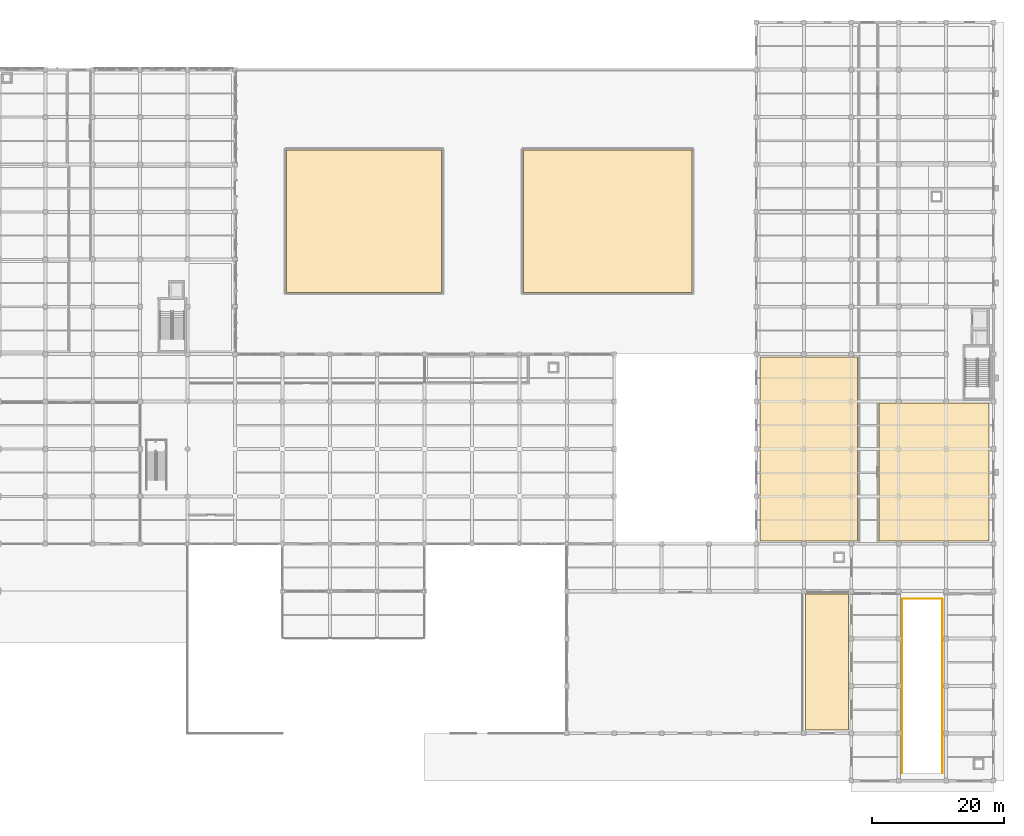
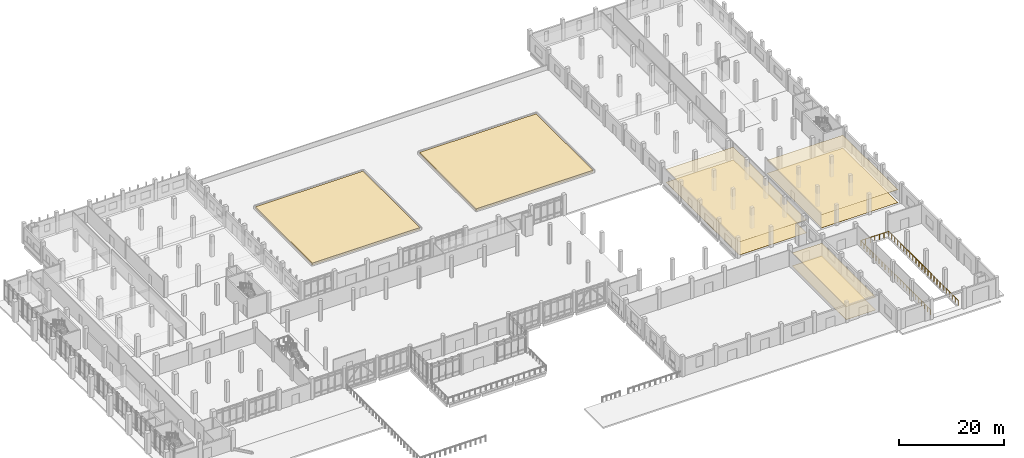
# One storey, part 54 of 59: 8 coverings, 1 railing.
"""IFC4 building model written with IfcOpenShell, lengths in metres."""

from ifc_helpers import new_model, si_unit, direction, frame, origin, origin_2d, place, context, subcontext, project, spatial, polyline, circle, outline, extrude, material, layer, layer_set, type_object, element, save


model = new_model("IFC4")

# Units and contexts
model_context = context("Model", 3, precision=1e-05, world=origin(), true_north=direction((0.0, 1.0)))
body_context = subcontext(model_context, "Body", "Model", "MODEL_VIEW")
ifc_project = project(units=[si_unit("LENGTHUNIT", "METRE"), si_unit("AREAUNIT", "SQUARE_METRE"), si_unit("VOLUMEUNIT", "CUBIC_METRE"), si_unit("PLANEANGLEUNIT", "RADIAN"), si_unit("MASSUNIT", "GRAM", prefix="KILO")], contexts=[model_context])

# Site, building, storey
site_placement = place(None, origin())
site = spatial("IfcSite", under=ifc_project, at=site_placement, CompositionType="ELEMENT")
building_placement = place(site_placement, origin())
building = spatial("IfcBuilding", under=site, at=building_placement, Name="Valkovuoma Quantum and Materials Research Institute", CompositionType="ELEMENT")
storey_placement = place(building_placement, origin())
storey = spatial("IfcBuildingStorey", under=building, at=storey_placement, Name="L00", CompositionType="ELEMENT", Elevation=0.0)

# Coverings
ifc_material_1 = material(Name="Cleanable acoustic mineral-fibre suspended ceiling", Category="masonry")
ifc_layer_1 = layer(ifc_material_1, 0.02490234375)
ifc_layer_set_1 = layer_set([ifc_layer_1], Name="Cleanable acoustic mineral-fibre suspended ceiling")
covering_type_1 = type_object("IfcCoveringType", Name="Cov-CEIL-01", PredefinedType="CEILING", material=ifc_layer_set_1)
covering_1_placement = place(storey_placement, frame((0.0, 0.0, 3.0)))
element("IfcCovering", 1, at=covering_1_placement, inside=storey, type_object=covering_type_1, Name="L00 acoustic ceiling 0012", PredefinedType="CEILING", context=body_context, shape_type="SweptSolid", body=[
    extrude(outline(polyline([(137.050048828125, 7.75), (143.550048828125, 7.75), (143.550048828125, 28.35009765625), (137.050048828125, 28.35009765625), (137.050048828125, 7.75)])), origin(), (0.0, 0.0, 1.0), 0.02490234375),
])
covering_2_placement = place(storey_placement, frame((0.0, 0.0, 3.0)))
element("IfcCovering", 2, at=covering_2_placement, inside=storey, type_object=covering_type_1, Name="L00 acoustic ceiling 0019", PredefinedType="CEILING", context=body_context, shape_type="SweptSolid", body=[
    extrude(outline(polyline([(130.14990234375, 36.449951171875), (144.949951171875, 36.449951171875), (144.949951171875, 64.35009765625), (130.14990234375, 64.35009765625), (130.14990234375, 36.449951171875)])), origin(), (0.0, 0.0, 1.0), 0.02490234375),
])
covering_3_placement = place(storey_placement, frame((0.0, 0.0, 3.0)))
element("IfcCovering", 3, at=covering_3_placement, inside=storey, type_object=covering_type_1, Name="L00 acoustic ceiling 0022", PredefinedType="CEILING", context=body_context, shape_type="SweptSolid", body=[
    extrude(outline(polyline([(148.25, 36.449951171875), (164.949951171875, 36.449951171875), (164.949951171875, 57.35009765625), (148.25, 57.35009765625), (148.25, 36.449951171875)])), origin(), (0.0, 0.0, 1.0), 0.02490234375),
])
ifc_material_2 = material(Name="Seamless dissipative laboratory resin flooring", Category="masonry")
ifc_layer_2 = layer(ifc_material_2, 0.014892578125)
ifc_layer_set_2 = layer_set([ifc_layer_2], Name="Seamless dissipative laboratory resin flooring")
covering_type_2 = type_object("IfcCoveringType", Name="Cov-FLOR-01", PredefinedType="FLOORING", material=ifc_layer_set_2)
covering_4_placement = place(storey_placement, origin())
element("IfcCovering", 4, at=covering_4_placement, inside=storey, type_object=covering_type_2, Name="L00 resin flooring 0012", PredefinedType="FLOORING", context=body_context, shape_type="SweptSolid", body=[
    extrude(outline(polyline([(137.050048828125, 7.75), (143.550048828125, 7.75), (143.550048828125, 28.35009765625), (137.050048828125, 28.35009765625), (137.050048828125, 7.75)])), origin(), (0.0, 0.0, 1.0), 0.014892578125),
])
covering_5_placement = place(storey_placement, origin())
element("IfcCovering", 5, at=covering_5_placement, inside=storey, type_object=covering_type_2, Name="L00 resin flooring 0019", PredefinedType="FLOORING", context=body_context, shape_type="SweptSolid", body=[
    extrude(outline(polyline([(130.14990234375, 36.449951171875), (144.949951171875, 36.449951171875), (144.949951171875, 64.35009765625), (130.14990234375, 64.35009765625), (130.14990234375, 36.449951171875)])), origin(), (0.0, 0.0, 1.0), 0.014892578125),
])
covering_6_placement = place(storey_placement, origin())
element("IfcCovering", 6, at=covering_6_placement, inside=storey, type_object=covering_type_2, Name="L00 resin flooring 0022", PredefinedType="FLOORING", context=body_context, shape_type="SweptSolid", body=[
    extrude(outline(polyline([(148.25, 36.449951171875), (164.949951171875, 36.449951171875), (164.949951171875, 57.35009765625), (148.25, 57.35009765625), (148.25, 36.449951171875)])), origin(), (0.0, 0.0, 1.0), 0.014892578125),
])
ifc_material_3 = material(Name="Extensive Nordic sedum and birch planted roof-garden build-up", Category="masonry")
ifc_layer_3 = layer(ifc_material_3, 0.25)
ifc_layer_set_3 = layer_set([ifc_layer_3], Name="Extensive Nordic sedum and birch planted roof-garden build-up")
covering_type_3 = type_object("IfcCoveringType", Name="Cov-ROOF-GDN", PredefinedType="ROOFING", material=ifc_layer_set_3)
covering_7_placement = place(storey_placement, origin())
element("IfcCovering", 7, at=covering_7_placement, inside=storey, type_object=covering_type_3, Name="L00 roof covering GDN-COURT-W", PredefinedType="ROOFING", context=body_context, shape_type="SweptSolid", body=[
    extrude(outline(polyline([(58.199951171875, 74.199951171875), (81.800048828125, 74.199951171875), (81.800048828125, 95.800048828125), (58.199951171875, 95.800048828125), (58.199951171875, 74.199951171875)])), origin(), (0.0, 0.0, 1.0), 0.449951171875),
])
covering_8_placement = place(storey_placement, origin())
element("IfcCovering", 8, at=covering_8_placement, inside=storey, type_object=covering_type_3, Name="L00 roof covering GDN-COURT-E", PredefinedType="ROOFING", context=body_context, shape_type="SweptSolid", body=[
    extrude(outline(polyline([(94.199951171875, 74.199951171875), (119.800048828125, 74.199951171875), (119.800048828125, 95.800048828125), (94.199951171875, 95.800048828125), (94.199951171875, 74.199951171875)])), origin(), (0.0, 0.0, 1.0), 0.449951171875),
])

# Railing
ifc_material_4 = material(Name="Hot-dip galvanised and powder-coated steel guardrail", Category="steel")
railing_type = type_object("IfcRailingType", Name="Rail-GRD-EXT", PredefinedType="BALUSTRADE", material=ifc_material_4)
railing_placement = place(storey_placement, frame((151.75, 1.199951171875, 0.0)))
element("IfcRailing", 9, at=railing_placement, inside=storey, type_object=railing_type, Name="L00 perimeter balustrade 09", PredefinedType="BALUSTRADE", context=body_context, shape_type="SweptSolid", body=[
    extrude(circle(Radius=0.02392578125, at=origin_2d()), frame((0.0, 0.0, 1.17578125), z_axis=(0.0, 1.0, 0.0), x_axis=(-1.0, 0.0, 0.0)), (0.0, 0.0, 1.0), 26.449951171875),
    extrude(circle(Radius=0.02392578125, at=origin_2d()), frame((0.0, 26.449951171875, 1.17578125), z_axis=(1.0, 0.0, 0.0), x_axis=(0.0, 1.0, 0.0)), (0.0, 0.0, 1.0), 6.10009765625),
    extrude(circle(Radius=0.02392578125, at=origin_2d()), frame((6.10009765625, 26.449951171875, 1.17578125), z_axis=(0.0, -1.0, 0.0), x_axis=(1.0, 0.0, 0.0)), (0.0, 0.0, 1.0), 26.449951171875),
    extrude(circle(Radius=0.02099609375, at=origin_2d()), origin(), (0.0, 0.0, 1.0), 1.15185546875),
    extrude(circle(Radius=0.02099609375, at=origin_2d()), frame((0.0, 1.14990234375, 0.0)), (0.0, 0.0, 1.0), 1.15185546875),
    extrude(circle(Radius=0.02099609375, at=origin_2d()), frame((0.0, 2.300048828125, 0.0)), (0.0, 0.0, 1.0), 1.15185546875),
    extrude(circle(Radius=0.02099609375, at=origin_2d()), frame((0.0, 3.449951171875, 0.0)), (0.0, 0.0, 1.0), 1.15185546875),
    extrude(circle(Radius=0.02099609375, at=origin_2d()), frame((0.0, 4.60009765625, 0.0)), (0.0, 0.0, 1.0), 1.15185546875),
    extrude(circle(Radius=0.02099609375, at=origin_2d()), frame((0.0, 5.75, 0.0)), (0.0, 0.0, 1.0), 1.15185546875),
    extrude(circle(Radius=0.02099609375, at=origin_2d()), frame((0.0, 6.89990234375, 0.0)), (0.0, 0.0, 1.0), 1.15185546875),
    extrude(circle(Radius=0.02099609375, at=origin_2d()), frame((0.0, 8.050048828125, 0.0)), (0.0, 0.0, 1.0), 1.15185546875),
    extrude(circle(Radius=0.02099609375, at=origin_2d()), frame((0.0, 9.199951171875, 0.0)), (0.0, 0.0, 1.0), 1.15185546875),
    extrude(circle(Radius=0.02099609375, at=origin_2d()), frame((0.0, 10.35009765625, 0.0)), (0.0, 0.0, 1.0), 1.15185546875),
    extrude(circle(Radius=0.02099609375, at=origin_2d()), frame((0.0, 11.5, 0.0)), (0.0, 0.0, 1.0), 1.15185546875),
    extrude(circle(Radius=0.02099609375, at=origin_2d()), frame((0.0, 12.64990234375, 0.0)), (0.0, 0.0, 1.0), 1.15185546875),
    extrude(circle(Radius=0.02099609375, at=origin_2d()), frame((0.0, 13.800048828125, 0.0)), (0.0, 0.0, 1.0), 1.15185546875),
    extrude(circle(Radius=0.02099609375, at=origin_2d()), frame((0.0, 14.949951171875, 0.0)), (0.0, 0.0, 1.0), 1.15185546875),
    extrude(circle(Radius=0.02099609375, at=origin_2d()), frame((0.0, 16.099853515625, 0.0)), (0.0, 0.0, 1.0), 1.15185546875),
    extrude(circle(Radius=0.02099609375, at=origin_2d()), frame((0.0, 17.25, 0.0)), (0.0, 0.0, 1.0), 1.15185546875),
    extrude(circle(Radius=0.02099609375, at=origin_2d()), frame((0.0, 18.39990234375, 0.0)), (0.0, 0.0, 1.0), 1.15185546875),
    extrude(circle(Radius=0.02099609375, at=origin_2d()), frame((0.0, 19.550048828125, 0.0)), (0.0, 0.0, 1.0), 1.15185546875),
    extrude(circle(Radius=0.02099609375, at=origin_2d()), frame((0.0, 20.699951171875, 0.0)), (0.0, 0.0, 1.0), 1.15185546875),
    extrude(circle(Radius=0.02099609375, at=origin_2d()), frame((0.0, 21.849853515625, 0.0)), (0.0, 0.0, 1.0), 1.15185546875),
    extrude(circle(Radius=0.02099609375, at=origin_2d()), frame((0.0, 23.0, 0.0)), (0.0, 0.0, 1.0), 1.15185546875),
    extrude(circle(Radius=0.02099609375, at=origin_2d()), frame((0.0, 24.14990234375, 0.0)), (0.0, 0.0, 1.0), 1.15185546875),
    extrude(circle(Radius=0.02099609375, at=origin_2d()), frame((0.0, 25.300048828125, 0.0)), (0.0, 0.0, 1.0), 1.15185546875),
    extrude(circle(Radius=0.02099609375, at=origin_2d()), frame((0.0, 26.449951171875, 0.0)), (0.0, 0.0, 1.0), 1.15185546875),
    extrude(circle(Radius=0.02099609375, at=origin_2d()), frame((1.0166015625, 26.449951171875, 0.0)), (0.0, 0.0, 1.0), 1.15185546875),
    extrude(circle(Radius=0.02099609375, at=origin_2d()), frame((2.033447265625, 26.449951171875, 0.0)), (0.0, 0.0, 1.0), 1.15185546875),
    extrude(circle(Radius=0.02099609375, at=origin_2d()), frame((3.050048828125, 26.449951171875, 0.0)), (0.0, 0.0, 1.0), 1.15185546875),
    extrude(circle(Radius=0.02099609375, at=origin_2d()), frame((4.066650390625, 26.449951171875, 0.0)), (0.0, 0.0, 1.0), 1.15185546875),
    extrude(circle(Radius=0.02099609375, at=origin_2d()), frame((5.08349609375, 26.449951171875, 0.0)), (0.0, 0.0, 1.0), 1.15185546875),
    extrude(circle(Radius=0.02099609375, at=origin_2d()), frame((6.10009765625, 26.449951171875, 0.0)), (0.0, 0.0, 1.0), 1.15185546875),
    extrude(circle(Radius=0.02099609375, at=origin_2d()), frame((6.10009765625, 25.300048828125, 0.0)), (0.0, 0.0, 1.0), 1.15185546875),
    extrude(circle(Radius=0.02099609375, at=origin_2d()), frame((6.10009765625, 24.14990234375, 0.0)), (0.0, 0.0, 1.0), 1.15185546875),
    extrude(circle(Radius=0.02099609375, at=origin_2d()), frame((6.10009765625, 23.0, 0.0)), (0.0, 0.0, 1.0), 1.15185546875),
    extrude(circle(Radius=0.02099609375, at=origin_2d()), frame((6.10009765625, 21.849853515625, 0.0)), (0.0, 0.0, 1.0), 1.15185546875),
    extrude(circle(Radius=0.02099609375, at=origin_2d()), frame((6.10009765625, 20.699951171875, 0.0)), (0.0, 0.0, 1.0), 1.15185546875),
    extrude(circle(Radius=0.02099609375, at=origin_2d()), frame((6.10009765625, 19.550048828125, 0.0)), (0.0, 0.0, 1.0), 1.15185546875),
    extrude(circle(Radius=0.02099609375, at=origin_2d()), frame((6.10009765625, 18.39990234375, 0.0)), (0.0, 0.0, 1.0), 1.15185546875),
    extrude(circle(Radius=0.02099609375, at=origin_2d()), frame((6.10009765625, 17.25, 0.0)), (0.0, 0.0, 1.0), 1.15185546875),
    extrude(circle(Radius=0.02099609375, at=origin_2d()), frame((6.10009765625, 16.099853515625, 0.0)), (0.0, 0.0, 1.0), 1.15185546875),
    extrude(circle(Radius=0.02099609375, at=origin_2d()), frame((6.10009765625, 14.949951171875, 0.0)), (0.0, 0.0, 1.0), 1.15185546875),
    extrude(circle(Radius=0.02099609375, at=origin_2d()), frame((6.10009765625, 13.800048828125, 0.0)), (0.0, 0.0, 1.0), 1.15185546875),
    extrude(circle(Radius=0.02099609375, at=origin_2d()), frame((6.10009765625, 12.64990234375, 0.0)), (0.0, 0.0, 1.0), 1.15185546875),
    extrude(circle(Radius=0.02099609375, at=origin_2d()), frame((6.10009765625, 11.5, 0.0)), (0.0, 0.0, 1.0), 1.15185546875),
    extrude(circle(Radius=0.02099609375, at=origin_2d()), frame((6.10009765625, 10.35009765625, 0.0)), (0.0, 0.0, 1.0), 1.15185546875),
    extrude(circle(Radius=0.02099609375, at=origin_2d()), frame((6.10009765625, 9.199951171875, 0.0)), (0.0, 0.0, 1.0), 1.15185546875),
    extrude(circle(Radius=0.02099609375, at=origin_2d()), frame((6.10009765625, 8.050048828125, 0.0)), (0.0, 0.0, 1.0), 1.15185546875),
    extrude(circle(Radius=0.02099609375, at=origin_2d()), frame((6.10009765625, 6.89990234375, 0.0)), (0.0, 0.0, 1.0), 1.15185546875),
    extrude(circle(Radius=0.02099609375, at=origin_2d()), frame((6.10009765625, 5.75, 0.0)), (0.0, 0.0, 1.0), 1.15185546875),
    extrude(circle(Radius=0.02099609375, at=origin_2d()), frame((6.10009765625, 4.60009765625, 0.0)), (0.0, 0.0, 1.0), 1.15185546875),
    extrude(circle(Radius=0.02099609375, at=origin_2d()), frame((6.10009765625, 3.449951171875, 0.0)), (0.0, 0.0, 1.0), 1.15185546875),
    extrude(circle(Radius=0.02099609375, at=origin_2d()), frame((6.10009765625, 2.300048828125, 0.0)), (0.0, 0.0, 1.0), 1.15185546875),
    extrude(circle(Radius=0.02099609375, at=origin_2d()), frame((6.10009765625, 1.14990234375, 0.0)), (0.0, 0.0, 1.0), 1.15185546875),
    extrude(circle(Radius=0.02099609375, at=origin_2d()), frame((6.10009765625, 0.0, 0.0)), (0.0, 0.0, 1.0), 1.15185546875),
])

save(model, "model.ifc")
